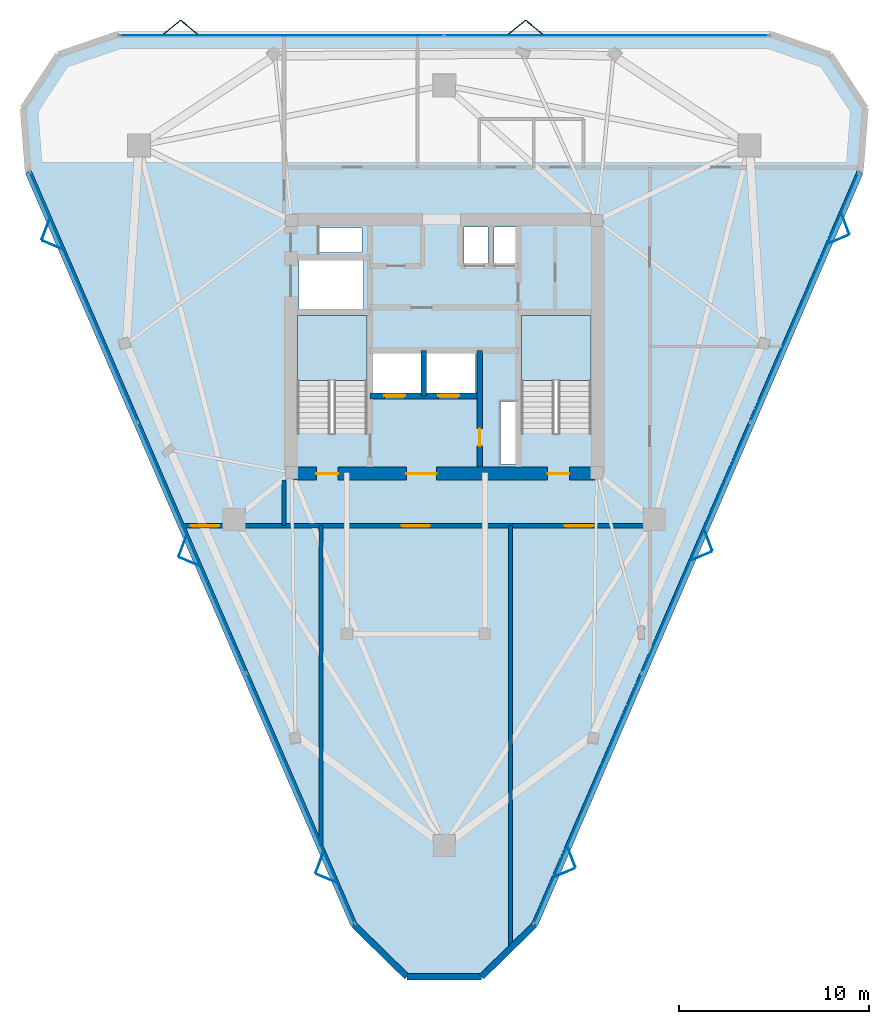
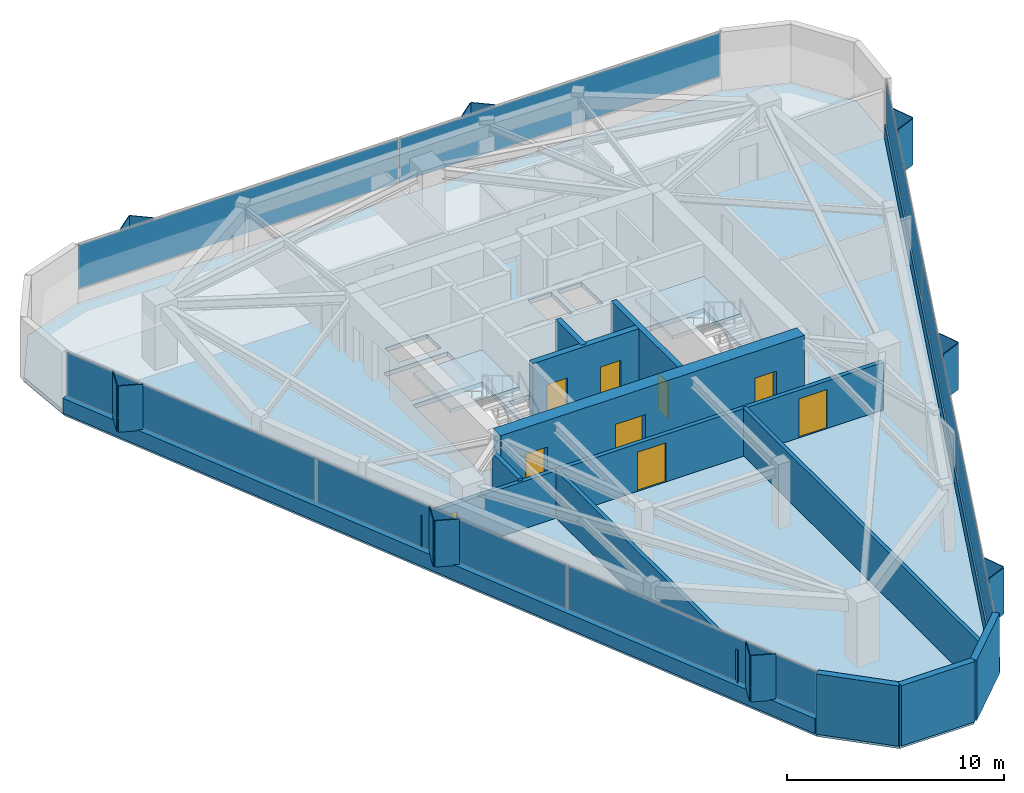
# One storey, part 8 of 12: 24 plates, 13 walls, 9 doors, 3 slabs, 9 openings, 5 elements without a shape of their own.
"""IFC4 building model written with IfcOpenShell, lengths in metres."""

from ifc_helpers import new_model, si_unit, direction, frame, frame_2d, origin, origin_2d, place, context, subcontext, project, spatial, polyline, rectangle, outline, extrude, material, layer, layer_set, type_object, element, fill, aggregate, save


model = new_model("IFC4")

# Units and contexts
model_context = context("Model", 3, precision=1e-05, world=origin(), true_north=direction((0.0, 1.0)))
body_context = subcontext(model_context, "Body", "Model", "MODEL_VIEW")
ifc_project = project(units=[si_unit("LENGTHUNIT", "METRE"), si_unit("AREAUNIT", "SQUARE_METRE"), si_unit("VOLUMEUNIT", "CUBIC_METRE"), si_unit("PLANEANGLEUNIT", "RADIAN"), si_unit("MASSUNIT", "GRAM", prefix="KILO")], contexts=[model_context])

# Site, building, storey
site_placement = place(None, origin())
site = spatial("IfcSite", under=ifc_project, at=site_placement, CompositionType="ELEMENT")
building_placement = place(site_placement, origin())
building = spatial("IfcBuilding", under=site, at=building_placement, Name="Talyreon Biosciences Tower", CompositionType="ELEMENT")
storey_placement = place(building_placement, frame((0.0, 0.0, 268.10009765625)))
storey = spatial("IfcBuildingStorey", under=building, at=storey_placement, Name="L71", CompositionType="ELEMENT", Elevation=268.10009765625)

# Curtain wall, plates
ifc_material_1 = material(Name="Thermally broken aluminium and low-E glazing", Category="aluminium")
ifc_layer_1 = layer(ifc_material_1, 0.175048828125)
ifc_layer_set_1 = layer_set([ifc_layer_1], Name="Thermally broken aluminium and low-E glazing")
curtain_wall_type = type_object("IfcCurtainWallType", Name="CurtainWall_Zone5CompLab", PredefinedType="NOTDEFINED", material=ifc_layer_set_1)
curtain_wall_1_placement = place(storey_placement, origin())
curtain_wall_1 = element("IfcCurtainWall", 1, at=curtain_wall_1_placement, inside=storey, type_object=curtain_wall_type, Name="L71 Unitised Curtain Wall FCW-L71-00", PredefinedType="NOTDEFINED")
ifc_material_2 = material(Name="Triple-silver low-E insulated glazing", Category="glass")
ifc_layer_2 = layer(ifc_material_2, 0.031982421875)
ifc_layer_set_2 = layer_set([ifc_layer_2], Name="Triple-silver low-E insulated glazing")
plate_type_1 = type_object("IfcPlateType", Name="CWGlazingPanel_32", PredefinedType="CURTAIN_PANEL", material=ifc_layer_set_2)
plate_1_placement = place(storey_placement, frame((58.431884765625, 44.170654296875, 0.875), z_axis=(0.0, 0.0, 1.0), x_axis=(-0.396886681377, 0.917867616895, 0.0)))
plate_1 = element("IfcPlate", 2, at=plate_1_placement, type_object=plate_type_1, Name="CW6 panel 1.1", PredefinedType="CURTAIN_PANEL", context=body_context, shape_type="SweptSolid", body=[
    extrude(rectangle(XDim=14.32568359375, YDim=0.031982421875, at=origin_2d()), origin(), (0.0, 0.0, 1.0), 2.4599609375),
])
plate_2_placement = place(storey_placement, frame((52.7138671875, 57.394287109375, 0.875), z_axis=(0.0, 0.0, 1.0), x_axis=(-0.396886681377, 0.917867616895, 0.0)))
plate_2 = element("IfcPlate", 3, at=plate_2_placement, type_object=plate_type_1, Name="CW6 panel 2.1", PredefinedType="CURTAIN_PANEL", context=body_context, shape_type="SweptSolid", body=[
    extrude(rectangle(XDim=14.358154296875, YDim=0.031982421875, at=origin_2d()), origin(), (0.0, 0.0, 1.0), 2.4599609375),
])
plate_3_placement = place(storey_placement, frame((46.99609375, 70.617919921875, 0.875), z_axis=(0.0, 0.0, 1.0), x_axis=(-0.396886681377, 0.917867616895, 0.0)))
plate_3 = element("IfcPlate", 4, at=plate_3_placement, type_object=plate_type_1, Name="CW6 panel 3.1", PredefinedType="CURTAIN_PANEL", context=body_context, shape_type="SweptSolid", body=[
    extrude(rectangle(XDim=14.32568359375, YDim=0.031982421875, at=origin_2d()), origin(), (0.0, 0.0, 1.0), 2.4599609375),
])
aggregate(curtain_wall_1, [plate_1, plate_2, plate_3])

curtain_wall_2_placement = place(storey_placement, origin())
curtain_wall_2 = element("IfcCurtainWall", 5, at=curtain_wall_2_placement, inside=storey, type_object=curtain_wall_type, Name="L71 Unitised Curtain Wall FCW-L71-04", PredefinedType="NOTDEFINED")
plate_4_placement = place(storey_placement, frame((57.4296875, 84.404052734375, 0.875), z_axis=(0.0, 0.0, 1.0), x_axis=(1.0, 0.0, 0.0)))
plate_4 = element("IfcPlate", 6, at=plate_4_placement, type_object=plate_type_1, Name="CW6 panel 1.1", PredefinedType="CURTAIN_PANEL", context=body_context, shape_type="SweptSolid", body=[
    extrude(rectangle(XDim=17.07568359375, YDim=0.031982421875, at=origin_2d()), origin(), (0.0, 0.0, 1.0), 2.4599609375),
])
plate_5_placement = place(storey_placement, frame((74.5703125, 84.404052734375, 0.875), z_axis=(0.0, 0.0, 1.0), x_axis=(1.0, 0.0, 0.0)))
plate_5 = element("IfcPlate", 7, at=plate_5_placement, type_object=plate_type_1, Name="CW6 panel 2.1", PredefinedType="CURTAIN_PANEL", context=body_context, shape_type="SweptSolid", body=[
    extrude(rectangle(XDim=17.07568359375, YDim=0.031982421875, at=origin_2d()), origin(), (0.0, 0.0, 1.0), 2.4599609375),
])
aggregate(curtain_wall_2, [plate_4, plate_5])

curtain_wall_3_placement = place(storey_placement, origin())
curtain_wall_3 = element("IfcCurtainWall", 8, at=curtain_wall_3_placement, inside=storey, type_object=curtain_wall_type, Name="L71 Unitised Curtain Wall FCW-L71-08", PredefinedType="NOTDEFINED")
plate_6_placement = place(storey_placement, frame((85.00390625, 70.617919921875, 0.875), z_axis=(0.0, 0.0, 1.0), x_axis=(-0.396886681377, -0.917867616895, 0.0)))
plate_6 = element("IfcPlate", 9, at=plate_6_placement, type_object=plate_type_1, Name="CW6 panel 1.1", PredefinedType="CURTAIN_PANEL", context=body_context, shape_type="SweptSolid", body=[
    extrude(rectangle(XDim=14.32568359375, YDim=0.031982421875, at=origin_2d()), origin(), (0.0, 0.0, 1.0), 2.4599609375),
])
plate_7_placement = place(storey_placement, frame((79.2861328125, 57.394287109375, 0.875), z_axis=(0.0, 0.0, 1.0), x_axis=(-0.396886681377, -0.917867616895, 0.0)))
plate_7 = element("IfcPlate", 10, at=plate_7_placement, type_object=plate_type_1, Name="CW6 panel 2.1", PredefinedType="CURTAIN_PANEL", context=body_context, shape_type="SweptSolid", body=[
    extrude(rectangle(XDim=14.358154296875, YDim=0.031982421875, at=origin_2d()), origin(), (0.0, 0.0, 1.0), 2.4599609375),
])
plate_8_placement = place(storey_placement, frame((73.568115234375, 44.170654296875, 0.875), z_axis=(0.0, 0.0, 1.0), x_axis=(-0.396886681377, -0.917867616895, 0.0)))
plate_8 = element("IfcPlate", 11, at=plate_8_placement, type_object=plate_type_1, Name="CW6 panel 3.1", PredefinedType="CURTAIN_PANEL", context=body_context, shape_type="SweptSolid", body=[
    extrude(rectangle(XDim=14.32568359375, YDim=0.031982421875, at=origin_2d()), origin(), (0.0, 0.0, 1.0), 2.4599609375),
])
aggregate(curtain_wall_3, [plate_6, plate_7, plate_8])

# Slab
ifc_material_3 = material(Name="Concrete C40/50", Category="concrete")
ifc_layer_3 = layer(ifc_material_3, 0.25)
ifc_layer_set_3 = layer_set([ifc_layer_3], Name="Concrete C40/50")
slab_type_1 = type_object("IfcSlabType", Name="DryLabFloorSlab_250", PredefinedType="FLOOR", material=ifc_layer_set_3)
slab_1_placement = place(storey_placement, frame((0.0, 0.0, -0.25)))
element("IfcSlab", 12, at=slab_1_placement, inside=storey, type_object=slab_type_1, Name="L71 Structural Floor Slab", PredefinedType="FLOOR", context=body_context, shape_type="SweptSolid", body=[
    extrude(outline(polyline([(61.22705078125, 37.504638671875), (44.053955078125, 77.22021484375), (43.79052734375, 80.578369140625), (45.64013671875, 83.393310546875), (48.826904296875, 84.484130859375), (83.173095703125, 84.484130859375), (86.35986328125, 83.393310546875), (88.20947265625, 80.578369140625), (87.946044921875, 77.22021484375), (70.77294921875, 37.504638671875), (67.965087890625, 34.75390625), (64.034912109375, 34.75390625), (61.22705078125, 37.504638671875)]), holes=[polyline([(69.820068359375, 65.10009765625), (69.820068359375, 61.800048828125), (68.9599609375, 61.800048828125), (68.9599609375, 65.10009765625), (69.820068359375, 65.10009765625)]), polyline([(61.929931640625, 69.64990234375), (61.929931640625, 63.407958984375), (58.25, 63.407958984375), (58.25, 69.64990234375), (61.929931640625, 69.64990234375)]), polyline([(73.75, 69.64990234375), (73.75, 63.407958984375), (70.070068359375, 63.407958984375), (70.070068359375, 69.64990234375), (73.75, 69.64990234375)]), polyline([(64.800048828125, 67.64990234375), (64.800048828125, 65.550048828125), (62.199951171875, 65.550048828125), (62.199951171875, 67.64990234375), (64.800048828125, 67.64990234375)]), polyline([(67.64990234375, 67.64990234375), (67.64990234375, 65.550048828125), (65.050048828125, 65.550048828125), (65.050048828125, 67.64990234375), (67.64990234375, 67.64990234375)]), polyline([(61.75, 72.550048828125), (61.75, 69.97998046875), (58.35009765625, 69.97998046875), (58.35009765625, 72.550048828125), (61.75, 72.550048828125)]), polyline([(68.300048828125, 74.300048828125), (68.300048828125, 72.35009765625), (67.050048828125, 72.35009765625), (67.050048828125, 74.300048828125), (68.300048828125, 74.300048828125)]), polyline([(69.919921875, 72.35009765625), (68.6201171875, 72.35009765625), (68.6201171875, 74.300048828125), (69.919921875, 74.300048828125), (69.919921875, 72.35009765625)]), polyline([(61.64990234375, 72.9599609375), (59.39990234375, 72.9599609375), (59.39990234375, 74.25), (61.64990234375, 74.25), (61.64990234375, 72.9599609375)])]), origin(), (0.0, 0.0, 1.0), 0.25),
])

# Plates
ifc_material_4 = material(Name="Ivory GFRC sunshade panel", Category="concrete")
ifc_layer_4 = layer(ifc_material_4, 0.044921875)
ifc_layer_set_4 = layer_set([ifc_layer_4], Name="Ivory GFRC sunshade panel")
plate_type_2 = type_object("IfcPlateType", Name="FoldedVSunshade_NorthFace_SUNSHADE", PredefinedType="USERDEFINED", material=ifc_layer_set_4)
for number, where, z_axis, x_axis, name in (
    (13, (51.64697265625, 84.843994140625, 0.7900390625), (0.0, 0.0, 1.0), (0.771624583388, 0.636078220278, 0.0), "L71 Folded V-Sunshade Panel 04.01L"),
    (14, (52.546875, 84.843994140625, 0.7900390625), (0.0, 0.0, 1.0), (0.771624583388, -0.636078220278, 0.0), "L71 Folded V-Sunshade Panel 04.01R"),
    (15, (69.846923828125, 84.843994140625, 0.7900390625), (0.0, 0.0, 1.0), (0.771624583388, 0.636078220278, 0.0), "L71 Folded V-Sunshade Panel 04.02L"),
    (16, (70.746826171875, 84.843994140625, 0.7900390625), (0.0, 0.0, 1.0), (0.771624583388, -0.636078220278, 0.0), "L71 Folded V-Sunshade Panel 04.02R"),
):
    element("IfcPlate", number, at=place(storey_placement, frame(where, z_axis=z_axis, x_axis=x_axis)), inside=storey, type_object=plate_type_2, Name=name, ObjectType="SUNSHADE", PredefinedType="USERDEFINED", context=body_context, shape_type="SweptSolid", body=[
        extrude(rectangle(XDim=1.14990234375, YDim=0.044921875, at=origin_2d()), origin(), (0.0, 0.0, 1.0), 2.610107421875),
    ])
ifc_layer_5 = layer(ifc_material_4, 0.044921875)
ifc_layer_set_5 = layer_set([ifc_layer_5], Name="Ivory GFRC sunshade panel")
plate_type_3 = type_object("IfcPlateType", Name="FoldedVSunshade_SunFace_SUNSHADE", PredefinedType="USERDEFINED", material=ifc_layer_set_5)
for number, where, z_axis, x_axis, name in (
    (17, (59.77734375, 39.9501953125, 0.7900390625), (0.0, 0.0, 1.0), (-0.923102865619, 0.3845531166, 0.0), "L71 Folded V-Sunshade Panel 00.01L"),
    (18, (59.420166015625, 40.776123046875, 0.7900390625), (0.0, 0.0, 1.0), (0.352103031817, 0.935961246519, 0.0), "L71 Folded V-Sunshade Panel 00.01R"),
    (19, (52.55419921875, 56.6552734375, 0.7900390625), (0.0, 0.0, 1.0), (-0.923102865619, 0.3845531166, 0.0), "L71 Folded V-Sunshade Panel 00.02L"),
    (20, (52.197021484375, 57.4814453125, 0.7900390625), (0.0, 0.0, 1.0), (0.352103031817, 0.935961246519, 0.0), "L71 Folded V-Sunshade Panel 00.02R"),
    (21, (45.330810546875, 73.360595703125, 0.7900390625), (0.0, 0.0, 1.0), (-0.923102865619, 0.3845531166, 0.0), "L71 Folded V-Sunshade Panel 00.03L"),
    (22, (44.9736328125, 74.1865234375, 0.7900390625), (0.0, 0.0, 1.0), (0.352103031817, 0.935961246519, 0.0), "L71 Folded V-Sunshade Panel 00.03R"),
    (23, (87.1572265625, 74.489013671875, 0.7900390625), (0.0, 0.0, 1.0), (0.352103031817, -0.935961246519, 0.0), "L71 Folded V-Sunshade Panel 08.01L"),
    (24, (86.800048828125, 73.6630859375, 0.7900390625), (0.0, 0.0, 1.0), (-0.923102865619, -0.3845531166, 0.0), "L71 Folded V-Sunshade Panel 08.01R"),
    (25, (79.933837890625, 57.78369140625, 0.7900390625), (0.0, 0.0, 1.0), (0.352103031817, -0.935961246519, 0.0), "L71 Folded V-Sunshade Panel 08.02L"),
    (26, (79.57666015625, 56.957763671875, 0.7900390625), (0.0, 0.0, 1.0), (-0.923102865619, -0.3845531166, 0.0), "L71 Folded V-Sunshade Panel 08.02R"),
    (27, (72.71044921875, 41.07861328125, 0.7900390625), (0.0, 0.0, 1.0), (0.352103031817, -0.935961246519, 0.0), "L71 Folded V-Sunshade Panel 08.03L"),
    (28, (72.353271484375, 40.252685546875, 0.7900390625), (0.0, 0.0, 1.0), (-0.923102865619, -0.3845531166, 0.0), "L71 Folded V-Sunshade Panel 08.03R"),
):
    element("IfcPlate", number, at=place(storey_placement, frame(where, z_axis=z_axis, x_axis=x_axis)), inside=storey, type_object=plate_type_3, Name=name, ObjectType="SUNSHADE", PredefinedType="USERDEFINED", context=body_context, shape_type="SweptSolid", body=[
        extrude(rectangle(XDim=1.14990234375, YDim=0.044921875, at=origin_2d()), origin(), (0.0, 0.0, 1.0), 2.610107421875),
    ])

# Stair, slab
stair_type = type_object("IfcStairType", Name="DoglegEscapeStair_3650", PredefinedType="HALF_TURN_STAIR", material=ifc_material_3)
stair_1_placement = place(storey_placement, origin())
stair_1 = element("IfcStair", 29, at=stair_1_placement, inside=storey, type_object=stair_type, Name="L71 Core Escape Stair 1", PredefinedType="HALF_TURN_STAIR")
ifc_layer_6 = layer(ifc_material_3, 0.199951171875)
ifc_layer_set_6 = layer_set([ifc_layer_6], Name="Concrete C40/50")
slab_type_2 = type_object("IfcSlabType", Name="StairLandingSlab_200", PredefinedType="LANDING", material=ifc_layer_set_6)
slab_2_placement = place(storey_placement, frame((0.0, 0.0, 1.625)))
slab_2 = element("IfcSlab", 30, at=slab_2_placement, type_object=slab_type_2, Name="ST-1 landing 1", PredefinedType="LANDING", context=body_context, shape_type="SweptSolid", body=[
    extrude(outline(polyline([(61.929931640625, 66.199951171875), (61.929931640625, 69.64990234375), (58.25, 69.64990234375), (58.25, 66.199951171875), (61.929931640625, 66.199951171875)])), origin(), (0.0, 0.0, 1.0), 0.199951171875),
])
aggregate(stair_1, [slab_2])

stair_2_placement = place(storey_placement, origin())
stair_2 = element("IfcStair", 31, at=stair_2_placement, inside=storey, type_object=stair_type, Name="L71 Core Escape Stair 2", PredefinedType="HALF_TURN_STAIR")
slab_3_placement = place(storey_placement, frame((0.0, 0.0, 1.625)))
slab_3 = element("IfcSlab", 32, at=slab_3_placement, type_object=slab_type_2, Name="ST-2 landing 1", PredefinedType="LANDING", context=body_context, shape_type="SweptSolid", body=[
    extrude(outline(polyline([(73.75, 66.199951171875), (73.75, 69.64990234375), (70.070068359375, 69.64990234375), (70.070068359375, 66.199951171875), (73.75, 66.199951171875)])), origin(), (0.0, 0.0, 1.0), 0.199951171875),
])
aggregate(stair_2, [slab_3])

# Walls
ifc_material_5 = material(Name="Gypsum fireboard acoustic stud", Category="gypsum")
ifc_layer_7 = layer(ifc_material_5, 0.199951171875)
ifc_layer_set_7 = layer_set([ifc_layer_7], Name="Gypsum fireboard acoustic stud")
wall_type_1 = type_object("IfcWallType", Name="ChemControlPartition_200", PredefinedType="PARTITIONING", material=ifc_layer_set_7)
wall_1_placement = place(storey_placement, frame((59.5, 41.712890625, 0.0), z_axis=(0.0, 0.0, 1.0), x_axis=(0.0, 1.0, 0.0)))
element("IfcWall", 33, at=wall_1_placement, inside=storey, type_object=wall_type_1, Name="L71 Interior Wall IW-L71-SDIV1", PredefinedType="PARTITIONING", context=body_context, shape_type="SweptSolid", body=[
    extrude(rectangle(XDim=16.837158203125, YDim=0.199951171875, at=frame_2d((8.41845703125, 0.0))), origin(), (0.0, 0.0, 1.0), 2.679931640625),
])
wall_2_placement = place(storey_placement, frame((69.5, 36.376708984375, 0.0), z_axis=(0.0, 0.0, 1.0), x_axis=(0.0, 1.0, 0.0)))
element("IfcWall", 34, at=wall_2_placement, inside=storey, type_object=wall_type_1, Name="L71 Interior Wall IW-L71-SDIV2", PredefinedType="PARTITIONING", context=body_context, shape_type="SweptSolid", body=[
    extrude(rectangle(XDim=22.17333984375, YDim=0.199951171875, at=frame_2d((11.086669921875, 0.0))), origin(), (0.0, 0.0, 1.0), 2.679931640625),
])
ifc_material_6 = material(Name="Concrete C50/60", Category="concrete")
ifc_layer_8 = layer(ifc_material_6, 0.280029296875)
ifc_layer_set_8 = layer_set([ifc_layer_8], Name="Concrete C50/60")
wall_type_2 = type_object("IfcWallType", Name="CoreShearWall_280", PredefinedType="SHEAR", material=ifc_layer_set_8)
wall_3_placement = place(storey_placement, frame((64.919921875, 65.39990234375, 0.0), z_axis=(0.0, 0.0, 1.0), x_axis=(0.0, 1.0, 0.0)))
element("IfcWall", 35, at=wall_3_placement, inside=storey, type_object=wall_type_2, Name="L71 Core Shaft Wall SWSHD1", PredefinedType="SHEAR", context=body_context, shape_type="SweptSolid", body=[
    extrude(rectangle(XDim=2.400146484375, YDim=0.280029296875, at=frame_2d((1.2001953125, 0.0))), origin(), (0.0, 0.0, 1.0), 3.64990234375),
])

# Wall, opening, door
wall_4_placement = place(storey_placement, frame((67.8798828125, 61.64990234375, 0.0), z_axis=(0.0, 0.0, 1.0), x_axis=(0.0, 1.0, 0.0)))
wall_4 = element("IfcWall", 36, at=wall_4_placement, inside=storey, type_object=wall_type_2, Name="L71 Core Shaft Wall SWFFE", PredefinedType="SHEAR", context=body_context, shape_type="SweptSolid", body=[
    extrude(rectangle(XDim=6.150146484375, YDim=0.280029296875, at=frame_2d((3.0751953125, 0.0))), origin(), (0.0, 0.0, 1.0), 3.64990234375),
])
opening_1_placement = place(wall_4_placement, frame((1.10009765625, 0.0, 0.0)))
opening_1 = element("IfcOpeningElement", 37, at=opening_1_placement, cuts=wall_4, Name="Opening DR-L71-RSE", PredefinedType="OPENING", context=body_context, shape_type="SweptSolid", body=[
    extrude(rectangle(XDim=0.919921875, YDim=2.050048828125, at=frame_2d((0.4599609375, 1.02490234375))), frame((0.0, 0.14990234375, 0.0), z_axis=(0.0, -1.0, 0.0), x_axis=(1.0, 0.0, 0.0)), (0.0, 0.0, 1.0), 0.300048828125),
])
ifc_material_7 = material(Name="Painted steel fire-rated riser door", Category="steel")
door_type_1 = type_object("IfcDoorType", Name="RiserPlantAccessDoor_920x2050", OperationType="NOTDEFINED", PredefinedType="DOOR", material=ifc_material_7)
door_1_placement = place(opening_1_placement, origin())
door_1 = element("IfcDoor", 38, at=door_1_placement, inside=storey, type_object=door_type_1, Name="L71 Core Door DR-L71-RSE", OperationType="SINGLE_SWING_RIGHT", OverallHeight=2.050048828125, OverallWidth=0.919921875, PredefinedType="DOOR", context=body_context, shape_type="SweptSolid", body=[
    extrude(rectangle(XDim=0.919921875, YDim=2.050048828125, at=frame_2d((0.4599609375, 1.02490234375))), frame((0.0, 0.02490234375, 0.0), z_axis=(0.0, -1.0, 0.0), x_axis=(1.0, 0.0, 0.0)), (0.0, 0.0, 1.0), 0.050048828125),
])
fill(opening_1, door_1)

# Wall, openings, doors
ifc_layer_9 = layer(ifc_material_6, 0.320068359375)
ifc_layer_set_9 = layer_set([ifc_layer_9], Name="Concrete C50/60")
wall_type_3 = type_object("IfcWallType", Name="CoreShearWall_320", PredefinedType="SHEAR", material=ifc_layer_set_9)
wall_5_placement = place(storey_placement, frame((62.090087890625, 65.39990234375, 0.0), z_axis=(0.0, 0.0, 1.0), x_axis=(1.0, 0.0, 0.0)))
wall_5 = element("IfcWall", 39, at=wall_5_placement, inside=storey, type_object=wall_type_3, Name="L71 Core Shaft Wall SWFFN", PredefinedType="SHEAR", context=body_context, shape_type="SweptSolid", body=[
    extrude(rectangle(XDim=5.789794921875, YDim=0.320068359375, at=frame_2d((2.89501953125, 0.0))), origin(), (0.0, 0.0, 1.0), 3.64990234375),
])
opening_2_placement = place(wall_5_placement, frame((0.75, 0.0, 0.0)))
opening_2 = element("IfcOpeningElement", 40, at=opening_2_placement, cuts=wall_5, Name="Opening LD-L71-FL1", PredefinedType="OPENING", context=body_context, shape_type="SweptSolid", body=[
    extrude(rectangle(XDim=1.10009765625, YDim=2.199951171875, at=frame_2d((0.550048828125, 1.10009765625))), frame((0.0, 0.169921875, 0.0), z_axis=(0.0, -1.0, 0.0), x_axis=(1.0, 0.0, 0.0)), (0.0, 0.0, 1.0), 0.340087890625),
])
opening_3_placement = place(wall_5_placement, frame((3.60009765625, 0.0, 0.0)))
opening_3 = element("IfcOpeningElement", 41, at=opening_3_placement, cuts=wall_5, Name="Opening LD-L71-FL2", PredefinedType="OPENING", context=body_context, shape_type="SweptSolid", body=[
    extrude(rectangle(XDim=1.10009765625, YDim=2.199951171875, at=frame_2d((0.550048828125, 1.10009765625))), frame((0.0, 0.169921875, 0.0), z_axis=(0.0, -1.0, 0.0), x_axis=(1.0, 0.0, 0.0)), (0.0, 0.0, 1.0), 0.340087890625),
])
ifc_material_8 = material(Name="Brushed stainless-steel lift landing door", Category="steel")
door_type_2 = type_object("IfcDoorType", Name="LiftSlidingLandingDoor_1100x2200", OperationType="SLIDING_TO_LEFT", PredefinedType="DOOR", material=ifc_material_8)
door_2_placement = place(opening_2_placement, origin())
door_2 = element("IfcDoor", 42, at=door_2_placement, inside=storey, type_object=door_type_2, Name="L71 Core Door LD-L71-FL1", OperationType="SLIDING_TO_LEFT", OverallHeight=2.199951171875, OverallWidth=1.10009765625, PredefinedType="DOOR", context=body_context, shape_type="SweptSolid", body=[
    extrude(rectangle(XDim=1.10009765625, YDim=2.199951171875, at=frame_2d((0.550048828125, 1.10009765625))), frame((0.0, 0.02490234375, 0.0), z_axis=(0.0, -1.0, 0.0), x_axis=(1.0, 0.0, 0.0)), (0.0, 0.0, 1.0), 0.050048828125),
])
fill(opening_2, door_2)
door_3_placement = place(opening_3_placement, origin())
door_3 = element("IfcDoor", 43, at=door_3_placement, inside=storey, type_object=door_type_2, Name="L71 Core Door LD-L71-FL2", OperationType="SLIDING_TO_LEFT", OverallHeight=2.199951171875, OverallWidth=1.10009765625, PredefinedType="DOOR", context=body_context, shape_type="SweptSolid", body=[
    extrude(rectangle(XDim=1.10009765625, YDim=2.199951171875, at=frame_2d((0.550048828125, 1.10009765625))), frame((0.0, 0.02490234375, 0.0), z_axis=(0.0, -1.0, 0.0), x_axis=(1.0, 0.0, 0.0)), (0.0, 0.0, 1.0), 0.050048828125),
])
fill(opening_3, door_3)

ifc_layer_10 = layer(ifc_material_6, 0.699951171875)
ifc_layer_set_10 = layer_set([ifc_layer_10], Name="Concrete C50/60")
wall_type_4 = type_object("IfcWallType", Name="CoreShearWall_700", PredefinedType="SHEAR", material=ifc_layer_set_10)
wall_6_placement = place(storey_placement, frame((57.89990234375, 61.300048828125, 0.0), z_axis=(0.0, 0.0, 1.0), x_axis=(1.0, 0.0, 0.0)))
wall_6 = element("IfcWall", 44, at=wall_6_placement, inside=storey, type_object=wall_type_4, Name="L71 Core Shear Wall S", PredefinedType="SHEAR", context=body_context, shape_type="SweptSolid", body=[
    extrude(rectangle(XDim=16.2001953125, YDim=0.699951171875, at=frame_2d((8.10009765625, 0.0))), origin(), (0.0, 0.0, 1.0), 3.64990234375),
])
opening_4_placement = place(wall_6_placement, frame((1.35009765625, 0.0, 0.0)))
opening_4 = element("IfcOpeningElement", 45, at=opening_4_placement, cuts=wall_6, Name="Opening DR-L71-ST1", PredefinedType="OPENING", context=body_context, shape_type="SweptSolid", body=[
    extrude(rectangle(XDim=1.14990234375, YDim=2.14990234375, at=frame_2d((0.574951171875, 1.074951171875))), frame((0.0, 0.35986328125, 0.0), z_axis=(0.0, -1.0, 0.0), x_axis=(1.0, 0.0, 0.0)), (0.0, 0.0, 1.0), 0.719970703125),
])
opening_5_placement = place(wall_6_placement, frame((6.10009765625, 0.0, 0.0)))
opening_5 = element("IfcOpeningElement", 46, at=opening_5_placement, cuts=wall_6, Name="Opening DR-L71-FFL", PredefinedType="OPENING", context=body_context, shape_type="SweptSolid", body=[
    extrude(rectangle(XDim=1.60009765625, YDim=2.14990234375, at=frame_2d((0.800048828125, 1.074951171875))), frame((0.0, 0.35986328125, 0.0), z_axis=(0.0, -1.0, 0.0), x_axis=(1.0, 0.0, 0.0)), (0.0, 0.0, 1.0), 0.719970703125),
])
opening_6_placement = place(wall_6_placement, frame((13.550048828125, 0.0, 0.0)))
opening_6 = element("IfcOpeningElement", 47, at=opening_6_placement, cuts=wall_6, Name="Opening DR-L71-ST2", PredefinedType="OPENING", context=body_context, shape_type="SweptSolid", body=[
    extrude(rectangle(XDim=1.14990234375, YDim=2.14990234375, at=frame_2d((0.574951171875, 1.074951171875))), frame((0.0, 0.35986328125, 0.0), z_axis=(0.0, -1.0, 0.0), x_axis=(1.0, 0.0, 0.0)), (0.0, 0.0, 1.0), 0.719970703125),
])
ifc_material_9 = material(Name="Painted steel smoke-seal fire door", Category="steel")
door_type_3 = type_object("IfcDoorType", Name="FirefightingLobbyDoubleDoor_1600x2150", OperationType="DOUBLE_DOOR_SINGLE_SWING", PredefinedType="DOOR", material=ifc_material_9)
door_4_placement = place(opening_5_placement, origin())
door_4 = element("IfcDoor", 48, at=door_4_placement, inside=storey, type_object=door_type_3, Name="L71 Core Door DR-L71-FFL", OperationType="DOUBLE_DOOR_SINGLE_SWING", OverallHeight=2.14990234375, OverallWidth=1.60009765625, PredefinedType="DOOR", context=body_context, shape_type="SweptSolid", body=[
    extrude(rectangle(XDim=1.60009765625, YDim=2.14990234375, at=frame_2d((0.800048828125, 1.074951171875))), frame((0.0, 0.02490234375, 0.0), z_axis=(0.0, -1.0, 0.0), x_axis=(1.0, 0.0, 0.0)), (0.0, 0.0, 1.0), 0.050048828125),
])
fill(opening_5, door_4)
ifc_material_10 = material(Name="Painted steel fire door", Category="steel")
door_type_4 = type_object("IfcDoorType", Name="StairShaftFireDoor_1150x2150", OperationType="NOTDEFINED", PredefinedType="DOOR", material=ifc_material_10)
door_5_placement = place(opening_4_placement, origin())
door_5 = element("IfcDoor", 49, at=door_5_placement, inside=storey, type_object=door_type_4, Name="L71 Core Door DR-L71-ST1", OperationType="SINGLE_SWING_LEFT", OverallHeight=2.14990234375, OverallWidth=1.14990234375, PredefinedType="DOOR", context=body_context, shape_type="SweptSolid", body=[
    extrude(rectangle(XDim=1.14990234375, YDim=2.14990234375, at=frame_2d((0.574951171875, 1.074951171875))), frame((0.0, 0.02490234375, 0.0), z_axis=(0.0, -1.0, 0.0), x_axis=(1.0, 0.0, 0.0)), (0.0, 0.0, 1.0), 0.050048828125),
])
fill(opening_4, door_5)
door_6_placement = place(opening_6_placement, origin())
door_6 = element("IfcDoor", 50, at=door_6_placement, inside=storey, type_object=door_type_4, Name="L71 Core Door DR-L71-ST2", OperationType="SINGLE_SWING_RIGHT", OverallHeight=2.14990234375, OverallWidth=1.14990234375, PredefinedType="DOOR", context=body_context, shape_type="SweptSolid", body=[
    extrude(rectangle(XDim=1.14990234375, YDim=2.14990234375, at=frame_2d((0.574951171875, 1.074951171875))), frame((0.0, 0.02490234375, 0.0), z_axis=(0.0, -1.0, 0.0), x_axis=(1.0, 0.0, 0.0)), (0.0, 0.0, 1.0), 0.050048828125),
])
fill(opening_6, door_6)

ifc_layer_11 = layer(ifc_material_5, 0.219970703125)
ifc_layer_set_11 = layer_set([ifc_layer_11], Name="Gypsum fireboard acoustic stud")
wall_type_5 = type_object("IfcWallType", Name="CorridorRatedPartition_220", PredefinedType="PARTITIONING", material=ifc_layer_set_11)
wall_7_placement = place(storey_placement, frame((52.2197265625, 58.550048828125, 0.0), z_axis=(0.0, 0.0, 1.0), x_axis=(1.0, 0.0, 0.0)))
wall_7 = element("IfcWall", 51, at=wall_7_placement, inside=storey, type_object=wall_type_5, Name="L71 Interior Wall IW-L71-COR-S", PredefinedType="PARTITIONING", context=body_context, shape_type="SweptSolid", body=[
    extrude(rectangle(XDim=24.63037109375, YDim=0.219970703125, at=frame_2d((12.315185546875, 0.0))), origin(), (0.0, 0.0, 1.0), 2.679931640625),
])
opening_7_placement = place(wall_7_placement, frame((0.419921875, 0.0, 0.0)))
opening_7 = element("IfcOpeningElement", 52, at=opening_7_placement, cuts=wall_7, Name="Opening DR-L71-S1A", PredefinedType="OPENING", context=body_context, shape_type="SweptSolid", body=[
    extrude(rectangle(XDim=1.5, YDim=2.199951171875, at=frame_2d((0.75, 1.10009765625))), frame((0.0, 0.119873046875, 0.0), z_axis=(0.0, -1.0, 0.0), x_axis=(1.0, 0.0, 0.0)), (0.0, 0.0, 1.0), 0.239990234375),
])
opening_8_placement = place(wall_7_placement, frame((11.530029296875, 0.0, 0.0)))
opening_8 = element("IfcOpeningElement", 53, at=opening_8_placement, cuts=wall_7, Name="Opening DR-L71-S2A", PredefinedType="OPENING", context=body_context, shape_type="SweptSolid", body=[
    extrude(rectangle(XDim=1.5, YDim=2.199951171875, at=frame_2d((0.75, 1.10009765625))), frame((0.0, 0.119873046875, 0.0), z_axis=(0.0, -1.0, 0.0), x_axis=(1.0, 0.0, 0.0)), (0.0, 0.0, 1.0), 0.239990234375),
])
opening_9_placement = place(wall_7_placement, frame((20.1298828125, 0.0, 0.0)))
opening_9 = element("IfcOpeningElement", 54, at=opening_9_placement, cuts=wall_7, Name="Opening DR-L71-S3A", PredefinedType="OPENING", context=body_context, shape_type="SweptSolid", body=[
    extrude(rectangle(XDim=1.5, YDim=2.199951171875, at=frame_2d((0.75, 1.10009765625))), frame((0.0, 0.119873046875, 0.0), z_axis=(0.0, -1.0, 0.0), x_axis=(1.0, 0.0, 0.0)), (0.0, 0.0, 1.0), 0.239990234375),
])
ifc_material_11 = material(Name="Vision-panel steel laboratory fire door", Category="steel")
door_type_5 = type_object("IfcDoorType", Name="WetLabDoubleLeafDoor_1500x2200", OperationType="DOUBLE_DOOR_SINGLE_SWING", PredefinedType="DOOR", material=ifc_material_11)
door_7_placement = place(opening_7_placement, origin())
door_7 = element("IfcDoor", 55, at=door_7_placement, inside=storey, type_object=door_type_5, Name="L71 Interior Door DR-L71-S1A", OperationType="DOUBLE_DOOR_SINGLE_SWING", OverallHeight=2.199951171875, OverallWidth=1.5, PredefinedType="DOOR", context=body_context, shape_type="SweptSolid", body=[
    extrude(rectangle(XDim=1.5, YDim=2.199951171875, at=frame_2d((0.75, 1.10009765625))), frame((0.0, 0.02490234375, 0.0), z_axis=(0.0, -1.0, 0.0), x_axis=(1.0, 0.0, 0.0)), (0.0, 0.0, 1.0), 0.050048828125),
])
fill(opening_7, door_7)
door_8_placement = place(opening_8_placement, origin())
door_8 = element("IfcDoor", 56, at=door_8_placement, inside=storey, type_object=door_type_5, Name="L71 Interior Door DR-L71-S2A", OperationType="DOUBLE_DOOR_SINGLE_SWING", OverallHeight=2.199951171875, OverallWidth=1.5, PredefinedType="DOOR", context=body_context, shape_type="SweptSolid", body=[
    extrude(rectangle(XDim=1.5, YDim=2.199951171875, at=frame_2d((0.75, 1.10009765625))), frame((0.0, 0.02490234375, 0.0), z_axis=(0.0, -1.0, 0.0), x_axis=(1.0, 0.0, 0.0)), (0.0, 0.0, 1.0), 0.050048828125),
])
fill(opening_8, door_8)
door_9_placement = place(opening_9_placement, origin())
door_9 = element("IfcDoor", 57, at=door_9_placement, inside=storey, type_object=door_type_5, Name="L71 Interior Door DR-L71-S3A", OperationType="DOUBLE_DOOR_SINGLE_SWING", OverallHeight=2.199951171875, OverallWidth=1.5, PredefinedType="DOOR", context=body_context, shape_type="SweptSolid", body=[
    extrude(rectangle(XDim=1.5, YDim=2.199951171875, at=frame_2d((0.75, 1.10009765625))), frame((0.0, 0.02490234375, 0.0), z_axis=(0.0, -1.0, 0.0), x_axis=(1.0, 0.0, 0.0)), (0.0, 0.0, 1.0), 0.050048828125),
])
fill(opening_9, door_9)

# Walls
wall_8_placement = place(storey_placement, frame((57.550048828125, 58.550048828125, 0.0), z_axis=(0.0, 0.0, 1.0), x_axis=(0.0, 1.0, 0.0)))
element("IfcWall", 58, at=wall_8_placement, inside=storey, type_object=wall_type_5, Name="L71 Interior Wall IW-L71-WCAP-S", PredefinedType="PARTITIONING", context=body_context, shape_type="SweptSolid", body=[
    extrude(rectangle(XDim=2.39990234375, YDim=0.219970703125, at=frame_2d((1.199951171875, 0.0))), origin(), (0.0, 0.0, 1.0), 2.829833984375),
])
ifc_material_12 = material(Name="Precast concrete C45/55", Category="concrete")
ifc_layer_12 = layer(ifc_material_12, 0.340087890625)
ifc_layer_set_12 = layer_set([ifc_layer_12], Name="Precast concrete C45/55")
wall_type_6 = type_object("IfcWallType", Name="PrecastConcreteSpandrelWall_340", PredefinedType="STANDARD", material=ifc_layer_set_12)
for number, where, z_axis, x_axis, name in (
    (59, (61.22705078125, 37.504638671875, 0.0), (0.0, 0.0, 1.0), (-0.396887640238, 0.917867202283, 0.0), "L71 Expressed Concrete Sill Wall 00"),
    (60, (87.946044921875, 77.22021484375, 0.0), (0.0, 0.0, 1.0), (-0.396887640238, -0.917867202283, 0.0), "L71 Expressed Concrete Sill Wall 08"),
):
    element("IfcWall", number, at=place(storey_placement, frame(where, z_axis=z_axis, x_axis=x_axis)), inside=storey, type_object=wall_type_6, Name=name, PredefinedType="STANDARD", context=body_context, shape_type="SweptSolid", body=[
        extrude(rectangle(XDim=43.26953125, YDim=0.340087890625, at=frame_2d((21.634765625, 0.0))), origin(), (0.0, 0.0, 1.0), 0.849853515625),
    ])
wall_9_placement = place(storey_placement, frame((70.77294921875, 37.504638671875, 0.0), z_axis=(0.0, 0.0, 1.0), x_axis=(-0.7143364033, -0.699802474218, 0.0)))
element("IfcWall", 61, at=wall_9_placement, inside=storey, type_object=wall_type_6, Name="L71 Rounded-Corner Concrete Pier 09", PredefinedType="STANDARD", context=body_context, shape_type="SweptSolid", body=[
    extrude(rectangle(XDim=3.9306640625, YDim=0.340087890625, at=frame_2d((1.96533203125, 0.0))), origin(), (0.0, 0.0, 1.0), 3.39990234375),
])
wall_10_placement = place(storey_placement, frame((67.965087890625, 34.75390625, 0.0), z_axis=(0.0, 0.0, 1.0), x_axis=(-1.0, 0.0, 0.0)))
element("IfcWall", 62, at=wall_10_placement, inside=storey, type_object=wall_type_6, Name="L71 Rounded-Corner Concrete Pier 10", PredefinedType="STANDARD", context=body_context, shape_type="SweptSolid", body=[
    extrude(rectangle(XDim=3.93017578125, YDim=0.340087890625, at=frame_2d((1.965087890625, 0.0))), origin(), (0.0, 0.0, 1.0), 3.39990234375),
])
wall_11_placement = place(storey_placement, frame((64.034912109375, 34.75390625, 0.0), z_axis=(0.0, 0.0, 1.0), x_axis=(-0.7143364033, 0.699802474218, 0.0)))
element("IfcWall", 63, at=wall_11_placement, inside=storey, type_object=wall_type_6, Name="L71 Rounded-Corner Concrete Pier 11", PredefinedType="STANDARD", context=body_context, shape_type="SweptSolid", body=[
    extrude(rectangle(XDim=3.9306640625, YDim=0.340087890625, at=frame_2d((1.96533203125, 0.0))), origin(), (0.0, 0.0, 1.0), 3.39990234375),
])

save(model, "model.ifc")
